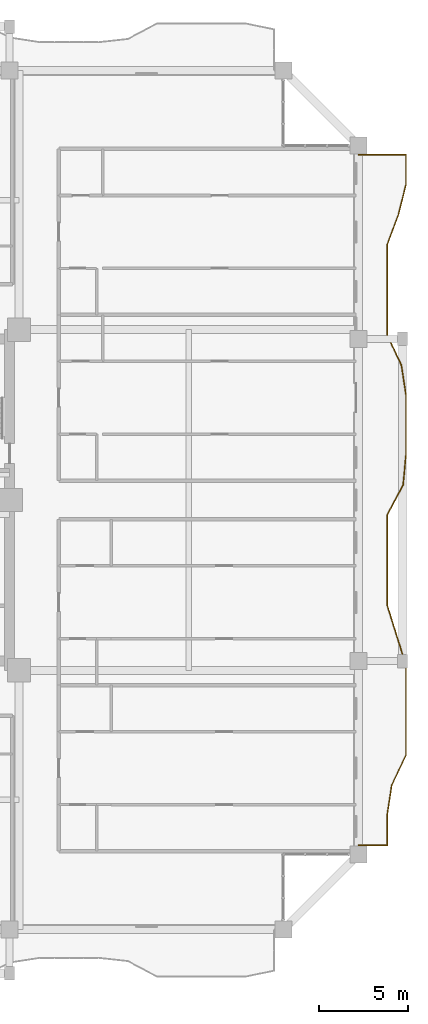
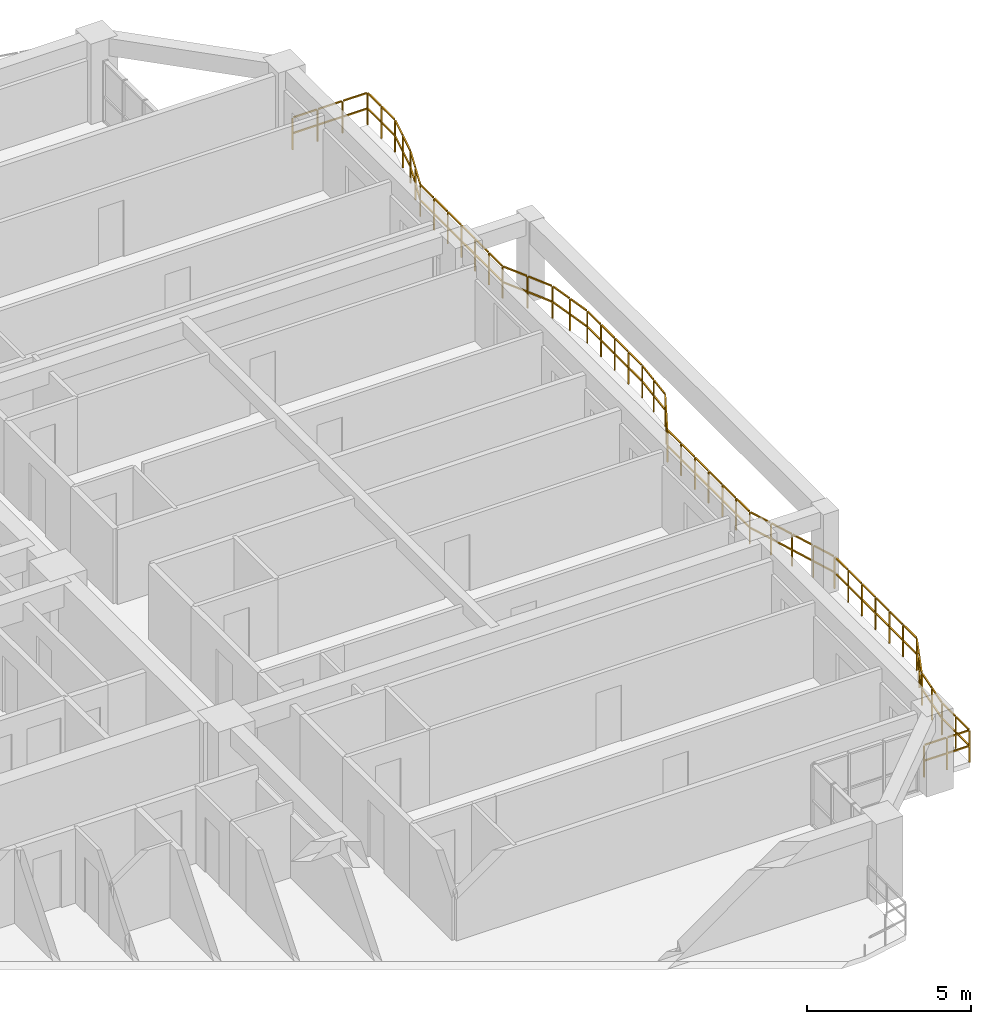
# One storey, part 24 of 25: 1 railing.
"""IFC4 building model written with IfcOpenShell, lengths in metres."""

from ifc_helpers import new_model, si_unit, direction, frame, origin, origin_2d, place, context, subcontext, project, spatial, rectangle, extrude, material, type_object, element, save


model = new_model("IFC4")

# Units and contexts
model_context = context("Model", 3, precision=1e-05, world=origin(), true_north=direction((0.0, 1.0)))
body_context = subcontext(model_context, "Body", "Model", "MODEL_VIEW")
ifc_project = project(units=[si_unit("LENGTHUNIT", "METRE"), si_unit("AREAUNIT", "SQUARE_METRE"), si_unit("VOLUMEUNIT", "CUBIC_METRE"), si_unit("PLANEANGLEUNIT", "RADIAN"), si_unit("MASSUNIT", "GRAM", prefix="KILO")], contexts=[model_context])

# Site, building, storey
site_placement = place(None, origin())
site = spatial("IfcSite", under=ifc_project, at=site_placement, CompositionType="ELEMENT")
building_placement = place(site_placement, origin())
building = spatial("IfcBuilding", under=site, at=building_placement, Name="Saelheon Loggia Tower", CompositionType="ELEMENT")
storey_placement = place(building_placement, frame((0.0, 0.0, 107.85009765625)))
storey = spatial("IfcBuildingStorey", under=building, at=storey_placement, Name="L34", CompositionType="ELEMENT", Elevation=107.85009765625)

# Railing
ifc_material = material(Name="Architectural Precast Concrete and Laminated Glass Guard", Category="concrete")
railing_type = type_object("IfcRailingType", Name="Guard_Loggia_RL_LOG", PredefinedType="BALUSTRADE", material=ifc_material)
railing_placement = place(storey_placement, frame((64.0, 7.699951171875, 0.0)))
element("IfcRailing", 1, at=railing_placement, inside=storey, type_object=railing_type, Name="L34 East Loggia Balustrade", PredefinedType="BALUSTRADE", context=body_context, shape_type="SweptSolid", body=[
    extrude(rectangle(XDim=0.048095703125, YDim=0.048095703125, at=origin_2d()), frame((0.033203125, 0.0, 1.19580078125), z_axis=(1.0, 0.0, 0.0), x_axis=(0.0, 1.0, 0.0)), (0.0, 0.0, 1.0), 0.733642578125),
    extrude(rectangle(XDim=0.048095703125, YDim=0.048095703125, at=origin_2d()), frame((0.033203125, 0.0, 0.60986328125), z_axis=(1.0, 0.0, 0.0), x_axis=(0.0, 1.0, 0.0)), (0.0, 0.0, 1.0), 0.733642578125),
    extrude(rectangle(XDim=0.048095703125, YDim=0.048095703125, at=origin_2d()), frame((0.833251953125, 0.0, 1.19580078125), z_axis=(1.0, 0.0, 0.0), x_axis=(0.0, 1.0, 0.0)), (0.0, 0.0, 1.0), 0.733642578125),
    extrude(rectangle(XDim=0.048095703125, YDim=0.048095703125, at=origin_2d()), frame((0.833251953125, 0.0, 0.60986328125), z_axis=(1.0, 0.0, 0.0), x_axis=(0.0, 1.0, 0.0)), (0.0, 0.0, 1.0), 0.733642578125),
    extrude(rectangle(XDim=0.048095703125, YDim=0.048095703125, at=origin_2d()), frame((1.60009765625, 0.033203125, 1.19580078125), z_axis=(0.0, 1.0, 0.0), x_axis=(-1.0, 0.0, 0.0)), (0.0, 0.0, 1.0), 0.772705078125),
    extrude(rectangle(XDim=0.048095703125, YDim=0.048095703125, at=origin_2d()), frame((1.60009765625, 0.033203125, 0.60986328125), z_axis=(0.0, 1.0, 0.0), x_axis=(-1.0, 0.0, 0.0)), (0.0, 0.0, 1.0), 0.772705078125),
    extrude(rectangle(XDim=0.048095703125, YDim=0.048095703125, at=origin_2d()), frame((1.60009765625, 0.87255859375, 1.19580078125), z_axis=(0.0, 1.0, 0.0), x_axis=(-1.0, 0.0, 0.0)), (0.0, 0.0, 1.0), 0.772705078125),
    extrude(rectangle(XDim=0.048095703125, YDim=0.048095703125, at=origin_2d()), frame((1.60009765625, 0.87255859375, 0.60986328125), z_axis=(0.0, 1.0, 0.0), x_axis=(-1.0, 0.0, 0.0)), (0.0, 0.0, 1.0), 0.772705078125),
    extrude(rectangle(XDim=0.048095703125, YDim=0.048095703125, at=origin_2d()), frame((1.605224609375, 1.71142578125, 1.19580078125), z_axis=(0.15116008587, 0.988509296082, 0.0), x_axis=(-0.988509296082, 0.15116008587, 0.0)), (0.0, 0.0, 1.0), 0.7822265625),
    extrude(rectangle(XDim=0.048095703125, YDim=0.048095703125, at=origin_2d()), frame((1.605224609375, 1.71142578125, 0.60986328125), z_axis=(0.15116008587, 0.988509296082, 0.0), x_axis=(-0.988509296082, 0.15116008587, 0.0)), (0.0, 0.0, 1.0), 0.7822265625),
    extrude(rectangle(XDim=0.048095703125, YDim=0.048095703125, at=origin_2d()), frame((1.7333984375, 2.55029296875, 1.19580078125), z_axis=(0.15116008587, 0.988509296082, 0.0), x_axis=(-0.988509296082, 0.15116008587, 0.0)), (0.0, 0.0, 1.0), 0.7822265625),
    extrude(rectangle(XDim=0.048095703125, YDim=0.048095703125, at=origin_2d()), frame((1.7333984375, 2.55029296875, 0.60986328125), z_axis=(0.15116008587, 0.988509296082, 0.0), x_axis=(-0.988509296082, 0.15116008587, 0.0)), (0.0, 0.0, 1.0), 0.7822265625),
    extrude(rectangle(XDim=0.048095703125, YDim=0.048095703125, at=origin_2d()), frame((1.870849609375, 3.386474609375, 1.19580078125), z_axis=(0.427272125585, 0.90412307276, 0.0), x_axis=(-0.90412307276, 0.427272125585, 0.0)), (0.0, 0.0, 1.0), 0.86181640625),
    extrude(rectangle(XDim=0.048095703125, YDim=0.048095703125, at=origin_2d()), frame((1.870849609375, 3.386474609375, 0.60986328125), z_axis=(0.427272125585, 0.90412307276, 0.0), x_axis=(-0.90412307276, 0.427272125585, 0.0)), (0.0, 0.0, 1.0), 0.86181640625),
    extrude(rectangle(XDim=0.048095703125, YDim=0.048095703125, at=origin_2d()), frame((2.267578125, 4.225830078125, 1.19580078125), z_axis=(0.427272125585, 0.90412307276, 0.0), x_axis=(-0.90412307276, 0.427272125585, 0.0)), (0.0, 0.0, 1.0), 0.86181640625),
    extrude(rectangle(XDim=0.048095703125, YDim=0.048095703125, at=origin_2d()), frame((2.267578125, 4.225830078125, 0.60986328125), z_axis=(0.427272125585, 0.90412307276, 0.0), x_axis=(-0.90412307276, 0.427272125585, 0.0)), (0.0, 0.0, 1.0), 0.86181640625),
    extrude(rectangle(XDim=0.048095703125, YDim=0.048095703125, at=origin_2d()), frame((2.64990234375, 5.068115234375, 1.19580078125), z_axis=(0.0, 1.0, 0.0), x_axis=(-1.0, 0.0, 0.0)), (0.0, 0.0, 1.0), 0.772705078125),
    extrude(rectangle(XDim=0.048095703125, YDim=0.048095703125, at=origin_2d()), frame((2.64990234375, 5.068115234375, 0.60986328125), z_axis=(0.0, 1.0, 0.0), x_axis=(-1.0, 0.0, 0.0)), (0.0, 0.0, 1.0), 0.772705078125),
    extrude(rectangle(XDim=0.048095703125, YDim=0.048095703125, at=origin_2d()), frame((2.64990234375, 5.9072265625, 1.19580078125), z_axis=(0.0, 1.0, 0.0), x_axis=(-1.0, 0.0, 0.0)), (0.0, 0.0, 1.0), 0.772705078125),
    extrude(rectangle(XDim=0.048095703125, YDim=0.048095703125, at=origin_2d()), frame((2.64990234375, 5.9072265625, 0.60986328125), z_axis=(0.0, 1.0, 0.0), x_axis=(-1.0, 0.0, 0.0)), (0.0, 0.0, 1.0), 0.772705078125),
    extrude(rectangle(XDim=0.048095703125, YDim=0.048095703125, at=origin_2d()), frame((2.64990234375, 6.746337890625, 1.19580078125), z_axis=(0.0, 1.0, 0.0), x_axis=(-1.0, 0.0, 0.0)), (0.0, 0.0, 1.0), 0.772705078125),
    extrude(rectangle(XDim=0.048095703125, YDim=0.048095703125, at=origin_2d()), frame((2.64990234375, 6.746337890625, 0.60986328125), z_axis=(0.0, 1.0, 0.0), x_axis=(-1.0, 0.0, 0.0)), (0.0, 0.0, 1.0), 0.772705078125),
    extrude(rectangle(XDim=0.048095703125, YDim=0.048095703125, at=origin_2d()), frame((2.64990234375, 7.58544921875, 1.19580078125), z_axis=(0.0, 1.0, 0.0), x_axis=(-1.0, 0.0, 0.0)), (0.0, 0.0, 1.0), 0.772705078125),
    extrude(rectangle(XDim=0.048095703125, YDim=0.048095703125, at=origin_2d()), frame((2.64990234375, 7.58544921875, 0.60986328125), z_axis=(0.0, 1.0, 0.0), x_axis=(-1.0, 0.0, 0.0)), (0.0, 0.0, 1.0), 0.772705078125),
    extrude(rectangle(XDim=0.048095703125, YDim=0.048095703125, at=origin_2d()), frame((2.64990234375, 8.424560546875, 1.19580078125), z_axis=(0.0, 1.0, 0.0), x_axis=(-1.0, 0.0, 0.0)), (0.0, 0.0, 1.0), 0.772705078125),
    extrude(rectangle(XDim=0.048095703125, YDim=0.048095703125, at=origin_2d()), frame((2.64990234375, 8.424560546875, 0.60986328125), z_axis=(0.0, 1.0, 0.0), x_axis=(-1.0, 0.0, 0.0)), (0.0, 0.0, 1.0), 0.772705078125),
    extrude(rectangle(XDim=0.048095703125, YDim=0.048095703125, at=origin_2d()), frame((2.64990234375, 9.263671875, 1.19580078125), z_axis=(0.0, 1.0, 0.0), x_axis=(-1.0, 0.0, 0.0)), (0.0, 0.0, 1.0), 0.772705078125),
    extrude(rectangle(XDim=0.048095703125, YDim=0.048095703125, at=origin_2d()), frame((2.64990234375, 9.263671875, 0.60986328125), z_axis=(0.0, 1.0, 0.0), x_axis=(-1.0, 0.0, 0.0)), (0.0, 0.0, 1.0), 0.772705078125),
    extrude(rectangle(XDim=0.048095703125, YDim=0.048095703125, at=origin_2d()), frame((2.639892578125, 10.101318359375, 1.19580078125), z_axis=(-0.299017909957, 0.954247499093, 0.0), x_axis=(-0.954247499093, -0.299017909957, 0.0)), (0.0, 0.0, 1.0), 0.81298828125),
    extrude(rectangle(XDim=0.048095703125, YDim=0.048095703125, at=origin_2d()), frame((2.639892578125, 10.101318359375, 0.60986328125), z_axis=(-0.299017909957, 0.954247499093, 0.0), x_axis=(-0.954247499093, -0.299017909957, 0.0)), (0.0, 0.0, 1.0), 0.81298828125),
    extrude(rectangle(XDim=0.048095703125, YDim=0.048095703125, at=origin_2d()), frame((2.376953125, 10.9404296875, 1.19580078125), z_axis=(-0.299017909957, 0.954247499093, 0.0), x_axis=(-0.954247499093, -0.299017909957, 0.0)), (0.0, 0.0, 1.0), 0.81298828125),
    extrude(rectangle(XDim=0.048095703125, YDim=0.048095703125, at=origin_2d()), frame((2.376953125, 10.9404296875, 0.60986328125), z_axis=(-0.299017909957, 0.954247499093, 0.0), x_axis=(-0.954247499093, -0.299017909957, 0.0)), (0.0, 0.0, 1.0), 0.81298828125),
    extrude(rectangle(XDim=0.048095703125, YDim=0.048095703125, at=origin_2d()), frame((2.114013671875, 11.779541015625, 1.19580078125), z_axis=(-0.297966647273, 0.954576281453, 0.0), x_axis=(-0.954576281453, -0.297966647273, 0.0)), (0.0, 0.0, 1.0), 0.812744140625),
    extrude(rectangle(XDim=0.048095703125, YDim=0.048095703125, at=origin_2d()), frame((2.114013671875, 11.779541015625, 0.60986328125), z_axis=(-0.297966647273, 0.954576281453, 0.0), x_axis=(-0.954576281453, -0.297966647273, 0.0)), (0.0, 0.0, 1.0), 0.812744140625),
    extrude(rectangle(XDim=0.048095703125, YDim=0.048095703125, at=origin_2d()), frame((1.85205078125, 12.61865234375, 1.19580078125), z_axis=(-0.297966647273, 0.954576281453, 0.0), x_axis=(-0.954576281453, -0.297966647273, 0.0)), (0.0, 0.0, 1.0), 0.812744140625),
    extrude(rectangle(XDim=0.048095703125, YDim=0.048095703125, at=origin_2d()), frame((1.85205078125, 12.61865234375, 0.60986328125), z_axis=(-0.297966647273, 0.954576281453, 0.0), x_axis=(-0.954576281453, -0.297966647273, 0.0)), (0.0, 0.0, 1.0), 0.812744140625),
    extrude(rectangle(XDim=0.048095703125, YDim=0.048095703125, at=origin_2d()), frame((1.60009765625, 13.45947265625, 1.19580078125), z_axis=(0.0, 1.0, 0.0), x_axis=(-1.0, 0.0, 0.0)), (0.0, 0.0, 1.0), 0.7724609375),
    extrude(rectangle(XDim=0.048095703125, YDim=0.048095703125, at=origin_2d()), frame((1.60009765625, 13.45947265625, 0.60986328125), z_axis=(0.0, 1.0, 0.0), x_axis=(-1.0, 0.0, 0.0)), (0.0, 0.0, 1.0), 0.7724609375),
    extrude(rectangle(XDim=0.048095703125, YDim=0.048095703125, at=origin_2d()), frame((1.60009765625, 14.298583984375, 1.19580078125), z_axis=(0.0, 1.0, 0.0), x_axis=(-1.0, 0.0, 0.0)), (0.0, 0.0, 1.0), 0.7724609375),
    extrude(rectangle(XDim=0.048095703125, YDim=0.048095703125, at=origin_2d()), frame((1.60009765625, 14.298583984375, 0.60986328125), z_axis=(0.0, 1.0, 0.0), x_axis=(-1.0, 0.0, 0.0)), (0.0, 0.0, 1.0), 0.7724609375),
    extrude(rectangle(XDim=0.048095703125, YDim=0.048095703125, at=origin_2d()), frame((1.60009765625, 15.137451171875, 1.19580078125), z_axis=(0.0, 1.0, 0.0), x_axis=(-1.0, 0.0, 0.0)), (0.0, 0.0, 1.0), 0.772705078125),
    extrude(rectangle(XDim=0.048095703125, YDim=0.048095703125, at=origin_2d()), frame((1.60009765625, 15.137451171875, 0.60986328125), z_axis=(0.0, 1.0, 0.0), x_axis=(-1.0, 0.0, 0.0)), (0.0, 0.0, 1.0), 0.772705078125),
    extrude(rectangle(XDim=0.048095703125, YDim=0.048095703125, at=origin_2d()), frame((1.60009765625, 15.976806640625, 1.19580078125), z_axis=(0.0, 1.0, 0.0), x_axis=(-1.0, 0.0, 0.0)), (0.0, 0.0, 1.0), 0.772705078125),
    extrude(rectangle(XDim=0.048095703125, YDim=0.048095703125, at=origin_2d()), frame((1.60009765625, 15.976806640625, 0.60986328125), z_axis=(0.0, 1.0, 0.0), x_axis=(-1.0, 0.0, 0.0)), (0.0, 0.0, 1.0), 0.772705078125),
    extrude(rectangle(XDim=0.048095703125, YDim=0.048095703125, at=origin_2d()), frame((1.60009765625, 16.81591796875, 1.19580078125), z_axis=(0.000727378335, 0.99999973546, 0.0), x_axis=(-0.99999973546, 0.000727378335, 0.0)), (0.0, 0.0, 1.0), 0.772705078125),
    extrude(rectangle(XDim=0.048095703125, YDim=0.048095703125, at=origin_2d()), frame((1.60009765625, 16.81591796875, 0.60986328125), z_axis=(0.000727378335, 0.99999973546, 0.0), x_axis=(-0.99999973546, 0.000727378335, 0.0)), (0.0, 0.0, 1.0), 0.772705078125),
    extrude(rectangle(XDim=0.048095703125, YDim=0.048095703125, at=origin_2d()), frame((1.600830078125, 17.655029296875, 1.19580078125), z_axis=(0.000727378335, 0.99999973546, 0.0), x_axis=(-0.99999973546, 0.000727378335, 0.0)), (0.0, 0.0, 1.0), 0.772705078125),
    extrude(rectangle(XDim=0.048095703125, YDim=0.048095703125, at=origin_2d()), frame((1.600830078125, 17.655029296875, 0.60986328125), z_axis=(0.000727378335, 0.99999973546, 0.0), x_axis=(-0.99999973546, 0.000727378335, 0.0)), (0.0, 0.0, 1.0), 0.772705078125),
    extrude(rectangle(XDim=0.048095703125, YDim=0.048095703125, at=origin_2d()), frame((1.616943359375, 18.490234375, 1.19580078125), z_axis=(0.469474503482, 0.882946029257, 0.0), x_axis=(-0.882946029257, 0.469474503482, 0.0)), (0.0, 0.0, 1.0), 0.8837890625),
    extrude(rectangle(XDim=0.048095703125, YDim=0.048095703125, at=origin_2d()), frame((1.616943359375, 18.490234375, 0.60986328125), z_axis=(0.469474503482, 0.882946029257, 0.0), x_axis=(-0.882946029257, 0.469474503482, 0.0)), (0.0, 0.0, 1.0), 0.8837890625),
    extrude(rectangle(XDim=0.048095703125, YDim=0.048095703125, at=origin_2d()), frame((2.06298828125, 19.329345703125, 1.19580078125), z_axis=(0.469474503482, 0.882946029257, 0.0), x_axis=(-0.882946029257, 0.469474503482, 0.0)), (0.0, 0.0, 1.0), 0.8837890625),
    extrude(rectangle(XDim=0.048095703125, YDim=0.048095703125, at=origin_2d()), frame((2.06298828125, 19.329345703125, 0.60986328125), z_axis=(0.469474503482, 0.882946029257, 0.0), x_axis=(-0.882946029257, 0.469474503482, 0.0)), (0.0, 0.0, 1.0), 0.8837890625),
    extrude(rectangle(XDim=0.048095703125, YDim=0.048095703125, at=origin_2d()), frame((2.496826171875, 20.17236328125, 1.19580078125), z_axis=(0.092703521138, 0.995693756719, 0.0), x_axis=(-0.995693756719, 0.092703521138, 0.0)), (0.0, 0.0, 1.0), 0.7763671875),
    extrude(rectangle(XDim=0.048095703125, YDim=0.048095703125, at=origin_2d()), frame((2.496826171875, 20.17236328125, 0.60986328125), z_axis=(0.092703521138, 0.995693756719, 0.0), x_axis=(-0.995693756719, 0.092703521138, 0.0)), (0.0, 0.0, 1.0), 0.7763671875),
    extrude(rectangle(XDim=0.048095703125, YDim=0.048095703125, at=origin_2d()), frame((2.574951171875, 21.011474609375, 1.19580078125), z_axis=(0.092703521138, 0.995693756719, 0.0), x_axis=(-0.995693756719, 0.092703521138, 0.0)), (0.0, 0.0, 1.0), 0.7763671875),
    extrude(rectangle(XDim=0.048095703125, YDim=0.048095703125, at=origin_2d()), frame((2.574951171875, 21.011474609375, 0.60986328125), z_axis=(0.092703521138, 0.995693756719, 0.0), x_axis=(-0.995693756719, 0.092703521138, 0.0)), (0.0, 0.0, 1.0), 0.7763671875),
    extrude(rectangle(XDim=0.048095703125, YDim=0.048095703125, at=origin_2d()), frame((2.64990234375, 21.8505859375, 1.19580078125), z_axis=(0.0, 1.0, 0.0), x_axis=(-1.0, 0.0, 0.0)), (0.0, 0.0, 1.0), 0.772705078125),
    extrude(rectangle(XDim=0.048095703125, YDim=0.048095703125, at=origin_2d()), frame((2.64990234375, 21.8505859375, 0.60986328125), z_axis=(0.0, 1.0, 0.0), x_axis=(-1.0, 0.0, 0.0)), (0.0, 0.0, 1.0), 0.772705078125),
    extrude(rectangle(XDim=0.048095703125, YDim=0.048095703125, at=origin_2d()), frame((2.64990234375, 22.68994140625, 1.19580078125), z_axis=(0.0, 1.0, 0.0), x_axis=(-1.0, 0.0, 0.0)), (0.0, 0.0, 1.0), 0.772705078125),
    extrude(rectangle(XDim=0.048095703125, YDim=0.048095703125, at=origin_2d()), frame((2.64990234375, 22.68994140625, 0.60986328125), z_axis=(0.0, 1.0, 0.0), x_axis=(-1.0, 0.0, 0.0)), (0.0, 0.0, 1.0), 0.772705078125),
    extrude(rectangle(XDim=0.048095703125, YDim=0.048095703125, at=origin_2d()), frame((2.64990234375, 23.529052734375, 1.19580078125), z_axis=(0.0, 1.0, 0.0), x_axis=(-1.0, 0.0, 0.0)), (0.0, 0.0, 1.0), 0.7724609375),
    extrude(rectangle(XDim=0.048095703125, YDim=0.048095703125, at=origin_2d()), frame((2.64990234375, 23.529052734375, 0.60986328125), z_axis=(0.0, 1.0, 0.0), x_axis=(-1.0, 0.0, 0.0)), (0.0, 0.0, 1.0), 0.7724609375),
    extrude(rectangle(XDim=0.048095703125, YDim=0.048095703125, at=origin_2d()), frame((2.64990234375, 24.3681640625, 1.19580078125), z_axis=(0.0, 1.0, 0.0), x_axis=(-1.0, 0.0, 0.0)), (0.0, 0.0, 1.0), 0.7724609375),
    extrude(rectangle(XDim=0.048095703125, YDim=0.048095703125, at=origin_2d()), frame((2.64990234375, 24.3681640625, 0.60986328125), z_axis=(0.0, 1.0, 0.0), x_axis=(-1.0, 0.0, 0.0)), (0.0, 0.0, 1.0), 0.7724609375),
    extrude(rectangle(XDim=0.048095703125, YDim=0.048095703125, at=origin_2d()), frame((2.644775390625, 25.206787109375, 1.19580078125), z_axis=(-0.151819504814, 0.988408234465, 0.0), x_axis=(-0.988408234465, -0.151819504814, 0.0)), (0.0, 0.0, 1.0), 0.78271484375),
    extrude(rectangle(XDim=0.048095703125, YDim=0.048095703125, at=origin_2d()), frame((2.644775390625, 25.206787109375, 0.60986328125), z_axis=(-0.151819504814, 0.988408234465, 0.0), x_axis=(-0.988408234465, -0.151819504814, 0.0)), (0.0, 0.0, 1.0), 0.78271484375),
    extrude(rectangle(XDim=0.048095703125, YDim=0.048095703125, at=origin_2d()), frame((2.515869140625, 26.0458984375, 1.19580078125), z_axis=(-0.151819504814, 0.988408234465, 0.0), x_axis=(-0.988408234465, -0.151819504814, 0.0)), (0.0, 0.0, 1.0), 0.78271484375),
    extrude(rectangle(XDim=0.048095703125, YDim=0.048095703125, at=origin_2d()), frame((2.515869140625, 26.0458984375, 0.60986328125), z_axis=(-0.151819504814, 0.988408234465, 0.0), x_axis=(-0.988408234465, -0.151819504814, 0.0)), (0.0, 0.0, 1.0), 0.78271484375),
    extrude(rectangle(XDim=0.048095703125, YDim=0.048095703125, at=origin_2d()), frame((2.3779296875, 26.88232421875, 1.19580078125), z_axis=(-0.42678516989, 0.904353038786, 0.0), x_axis=(-0.904353038786, -0.42678516989, 0.0)), (0.0, 0.0, 1.0), 0.861328125),
    extrude(rectangle(XDim=0.048095703125, YDim=0.048095703125, at=origin_2d()), frame((2.3779296875, 26.88232421875, 0.60986328125), z_axis=(-0.42678516989, 0.904353038786, 0.0), x_axis=(-0.904353038786, -0.42678516989, 0.0)), (0.0, 0.0, 1.0), 0.861328125),
    extrude(rectangle(XDim=0.048095703125, YDim=0.048095703125, at=origin_2d()), frame((1.98193359375, 27.721435546875, 1.19580078125), z_axis=(-0.42678516989, 0.904353038786, 0.0), x_axis=(-0.904353038786, -0.42678516989, 0.0)), (0.0, 0.0, 1.0), 0.861328125),
    extrude(rectangle(XDim=0.048095703125, YDim=0.048095703125, at=origin_2d()), frame((1.98193359375, 27.721435546875, 0.60986328125), z_axis=(-0.42678516989, 0.904353038786, 0.0), x_axis=(-0.904353038786, -0.42678516989, 0.0)), (0.0, 0.0, 1.0), 0.861328125),
    extrude(rectangle(XDim=0.048095703125, YDim=0.048095703125, at=origin_2d()), frame((1.60009765625, 28.563720703125, 1.19580078125), z_axis=(0.0, 1.0, 0.0), x_axis=(-1.0, 0.0, 0.0)), (0.0, 0.0, 1.0), 0.772705078125),
    extrude(rectangle(XDim=0.048095703125, YDim=0.048095703125, at=origin_2d()), frame((1.60009765625, 28.563720703125, 0.60986328125), z_axis=(0.0, 1.0, 0.0), x_axis=(-1.0, 0.0, 0.0)), (0.0, 0.0, 1.0), 0.772705078125),
    extrude(rectangle(XDim=0.048095703125, YDim=0.048095703125, at=origin_2d()), frame((1.60009765625, 29.40283203125, 1.19580078125), z_axis=(0.0, 1.0, 0.0), x_axis=(-1.0, 0.0, 0.0)), (0.0, 0.0, 1.0), 0.772705078125),
    extrude(rectangle(XDim=0.048095703125, YDim=0.048095703125, at=origin_2d()), frame((1.60009765625, 29.40283203125, 0.60986328125), z_axis=(0.0, 1.0, 0.0), x_axis=(-1.0, 0.0, 0.0)), (0.0, 0.0, 1.0), 0.772705078125),
    extrude(rectangle(XDim=0.048095703125, YDim=0.048095703125, at=origin_2d()), frame((1.60009765625, 30.241943359375, 1.19580078125), z_axis=(0.0, 1.0, 0.0), x_axis=(-1.0, 0.0, 0.0)), (0.0, 0.0, 1.0), 0.772705078125),
    extrude(rectangle(XDim=0.048095703125, YDim=0.048095703125, at=origin_2d()), frame((1.60009765625, 30.241943359375, 0.60986328125), z_axis=(0.0, 1.0, 0.0), x_axis=(-1.0, 0.0, 0.0)), (0.0, 0.0, 1.0), 0.772705078125),
    extrude(rectangle(XDim=0.048095703125, YDim=0.048095703125, at=origin_2d()), frame((1.60009765625, 31.0810546875, 1.19580078125), z_axis=(0.0, 1.0, 0.0), x_axis=(-1.0, 0.0, 0.0)), (0.0, 0.0, 1.0), 0.772705078125),
    extrude(rectangle(XDim=0.048095703125, YDim=0.048095703125, at=origin_2d()), frame((1.60009765625, 31.0810546875, 0.60986328125), z_axis=(0.0, 1.0, 0.0), x_axis=(-1.0, 0.0, 0.0)), (0.0, 0.0, 1.0), 0.772705078125),
    extrude(rectangle(XDim=0.048095703125, YDim=0.048095703125, at=origin_2d()), frame((1.60009765625, 31.920166015625, 1.19580078125), z_axis=(0.0, 1.0, 0.0), x_axis=(-1.0, 0.0, 0.0)), (0.0, 0.0, 1.0), 0.772705078125),
    extrude(rectangle(XDim=0.048095703125, YDim=0.048095703125, at=origin_2d()), frame((1.60009765625, 31.920166015625, 0.60986328125), z_axis=(0.0, 1.0, 0.0), x_axis=(-1.0, 0.0, 0.0)), (0.0, 0.0, 1.0), 0.772705078125),
    extrude(rectangle(XDim=0.048095703125, YDim=0.048095703125, at=origin_2d()), frame((1.60009765625, 32.75927734375, 1.19580078125), z_axis=(0.0, 1.0, 0.0), x_axis=(-1.0, 0.0, 0.0)), (0.0, 0.0, 1.0), 0.772705078125),
    extrude(rectangle(XDim=0.048095703125, YDim=0.048095703125, at=origin_2d()), frame((1.60009765625, 32.75927734375, 0.60986328125), z_axis=(0.0, 1.0, 0.0), x_axis=(-1.0, 0.0, 0.0)), (0.0, 0.0, 1.0), 0.772705078125),
    extrude(rectangle(XDim=0.048095703125, YDim=0.048095703125, at=origin_2d()), frame((1.61181640625, 33.59619140625, 1.19580078125), z_axis=(0.350391780818, 0.936603224388, 0.0), x_axis=(-0.936603224388, 0.350391780818, 0.0)), (0.0, 0.0, 1.0), 0.82958984375),
    extrude(rectangle(XDim=0.048095703125, YDim=0.048095703125, at=origin_2d()), frame((1.61181640625, 33.59619140625, 0.60986328125), z_axis=(0.350391780818, 0.936603224388, 0.0), x_axis=(-0.936603224388, 0.350391780818, 0.0)), (0.0, 0.0, 1.0), 0.82958984375),
    extrude(rectangle(XDim=0.048095703125, YDim=0.048095703125, at=origin_2d()), frame((1.92578125, 34.435546875, 1.19580078125), z_axis=(0.350391780818, 0.936603224388, 0.0), x_axis=(-0.936603224388, 0.350391780818, 0.0)), (0.0, 0.0, 1.0), 0.82958984375),
    extrude(rectangle(XDim=0.048095703125, YDim=0.048095703125, at=origin_2d()), frame((1.92578125, 34.435546875, 0.60986328125), z_axis=(0.350391780818, 0.936603224388, 0.0), x_axis=(-0.936603224388, 0.350391780818, 0.0)), (0.0, 0.0, 1.0), 0.82958984375),
    extrude(rectangle(XDim=0.048095703125, YDim=0.048095703125, at=origin_2d()), frame((2.236083984375, 35.27587890625, 1.19580078125), z_axis=(0.243830259239, 0.969817923468, 0.0), x_axis=(-0.969817923468, 0.243830259239, 0.0)), (0.0, 0.0, 1.0), 0.798583984375),
    extrude(rectangle(XDim=0.048095703125, YDim=0.048095703125, at=origin_2d()), frame((2.236083984375, 35.27587890625, 0.60986328125), z_axis=(0.243830259239, 0.969817923468, 0.0), x_axis=(-0.969817923468, 0.243830259239, 0.0)), (0.0, 0.0, 1.0), 0.798583984375),
    extrude(rectangle(XDim=0.048095703125, YDim=0.048095703125, at=origin_2d()), frame((2.447021484375, 36.114990234375, 1.19580078125), z_axis=(0.243830259239, 0.969817923468, 0.0), x_axis=(-0.969817923468, 0.243830259239, 0.0)), (0.0, 0.0, 1.0), 0.798583984375),
    extrude(rectangle(XDim=0.048095703125, YDim=0.048095703125, at=origin_2d()), frame((2.447021484375, 36.114990234375, 0.60986328125), z_axis=(0.243830259239, 0.969817923468, 0.0), x_axis=(-0.969817923468, 0.243830259239, 0.0)), (0.0, 0.0, 1.0), 0.798583984375),
    extrude(rectangle(XDim=0.048095703125, YDim=0.048095703125, at=origin_2d()), frame((2.64990234375, 36.954833984375, 1.19580078125), z_axis=(0.0, 1.0, 0.0), x_axis=(-1.0, 0.0, 0.0)), (0.0, 0.0, 1.0), 0.772705078125),
    extrude(rectangle(XDim=0.048095703125, YDim=0.048095703125, at=origin_2d()), frame((2.64990234375, 36.954833984375, 0.60986328125), z_axis=(0.0, 1.0, 0.0), x_axis=(-1.0, 0.0, 0.0)), (0.0, 0.0, 1.0), 0.772705078125),
    extrude(rectangle(XDim=0.048095703125, YDim=0.048095703125, at=origin_2d()), frame((2.64990234375, 37.794189453125, 1.19580078125), z_axis=(0.0, 1.0, 0.0), x_axis=(-1.0, 0.0, 0.0)), (0.0, 0.0, 1.0), 0.772705078125),
    extrude(rectangle(XDim=0.048095703125, YDim=0.048095703125, at=origin_2d()), frame((2.64990234375, 37.794189453125, 0.60986328125), z_axis=(0.0, 1.0, 0.0), x_axis=(-1.0, 0.0, 0.0)), (0.0, 0.0, 1.0), 0.772705078125),
    extrude(rectangle(XDim=0.048095703125, YDim=0.048095703125, at=origin_2d()), frame((2.61669921875, 38.60009765625, 1.19580078125), z_axis=(-1.0, 0.0, 0.0), x_axis=(0.0, -1.0, 0.0)), (0.0, 0.0, 1.0), 0.81689453125),
    extrude(rectangle(XDim=0.048095703125, YDim=0.048095703125, at=origin_2d()), frame((2.61669921875, 38.60009765625, 0.60986328125), z_axis=(-1.0, 0.0, 0.0), x_axis=(0.0, -1.0, 0.0)), (0.0, 0.0, 1.0), 0.81689453125),
    extrude(rectangle(XDim=0.048095703125, YDim=0.048095703125, at=origin_2d()), frame((1.7333984375, 38.60009765625, 1.19580078125), z_axis=(-1.0, 0.0, 0.0), x_axis=(0.0, -1.0, 0.0)), (0.0, 0.0, 1.0), 0.81689453125),
    extrude(rectangle(XDim=0.048095703125, YDim=0.048095703125, at=origin_2d()), frame((1.7333984375, 38.60009765625, 0.60986328125), z_axis=(-1.0, 0.0, 0.0), x_axis=(0.0, -1.0, 0.0)), (0.0, 0.0, 1.0), 0.81689453125),
    extrude(rectangle(XDim=0.048095703125, YDim=0.048095703125, at=origin_2d()), frame((0.85009765625, 38.60009765625, 1.19580078125), z_axis=(-1.0, 0.0, 0.0), x_axis=(0.0, -1.0, 0.0)), (0.0, 0.0, 1.0), 0.81689453125),
    extrude(rectangle(XDim=0.048095703125, YDim=0.048095703125, at=origin_2d()), frame((0.85009765625, 38.60009765625, 0.60986328125), z_axis=(-1.0, 0.0, 0.0), x_axis=(0.0, -1.0, 0.0)), (0.0, 0.0, 1.0), 0.81689453125),
    extrude(rectangle(XDim=0.0419921875, YDim=0.0419921875, at=origin_2d()), origin(), (0.0, 0.0, 1.0), 1.16796875),
    extrude(rectangle(XDim=0.0419921875, YDim=0.0419921875, at=origin_2d()), frame((0.800048828125, 0.0, 0.0)), (0.0, 0.0, 1.0), 1.16796875),
    extrude(rectangle(XDim=0.0419921875, YDim=0.0419921875, at=origin_2d()), frame((1.60009765625, 0.0, 0.0)), (0.0, 0.0, 1.0), 1.16796875),
    extrude(rectangle(XDim=0.0419921875, YDim=0.0419921875, at=origin_2d()), frame((1.60009765625, 0.83935546875, 0.0)), (0.0, 0.0, 1.0), 1.16796875),
    extrude(rectangle(XDim=0.0419921875, YDim=0.0419921875, at=origin_2d()), frame((1.60009765625, 1.678466796875, 0.0)), (0.0, 0.0, 1.0), 1.16796875),
    extrude(rectangle(XDim=0.0419921875, YDim=0.0419921875, at=origin_2d()), frame((1.728515625, 2.517578125, 0.0)), (0.0, 0.0, 1.0), 1.16796875),
    extrude(rectangle(XDim=0.0419921875, YDim=0.0419921875, at=origin_2d()), frame((1.856689453125, 3.3564453125, 0.0)), (0.0, 0.0, 1.0), 1.16796875),
    extrude(rectangle(XDim=0.0419921875, YDim=0.0419921875, at=origin_2d()), frame((2.25341796875, 4.19580078125, 0.0)), (0.0, 0.0, 1.0), 1.16796875),
    extrude(rectangle(XDim=0.0419921875, YDim=0.0419921875, at=origin_2d()), frame((2.64990234375, 5.034912109375, 0.0)), (0.0, 0.0, 1.0), 1.16796875),
    extrude(rectangle(XDim=0.0419921875, YDim=0.0419921875, at=origin_2d()), frame((2.64990234375, 5.8740234375, 0.0)), (0.0, 0.0, 1.0), 1.16796875),
    extrude(rectangle(XDim=0.0419921875, YDim=0.0419921875, at=origin_2d()), frame((2.64990234375, 6.713134765625, 0.0)), (0.0, 0.0, 1.0), 1.16796875),
    extrude(rectangle(XDim=0.0419921875, YDim=0.0419921875, at=origin_2d()), frame((2.64990234375, 7.55224609375, 0.0)), (0.0, 0.0, 1.0), 1.16796875),
    extrude(rectangle(XDim=0.0419921875, YDim=0.0419921875, at=origin_2d()), frame((2.64990234375, 8.391357421875, 0.0)), (0.0, 0.0, 1.0), 1.16796875),
    extrude(rectangle(XDim=0.0419921875, YDim=0.0419921875, at=origin_2d()), frame((2.64990234375, 9.23046875, 0.0)), (0.0, 0.0, 1.0), 1.16796875),
    extrude(rectangle(XDim=0.0419921875, YDim=0.0419921875, at=origin_2d()), frame((2.64990234375, 10.069580078125, 0.0)), (0.0, 0.0, 1.0), 1.16796875),
    extrude(rectangle(XDim=0.0419921875, YDim=0.0419921875, at=origin_2d()), frame((2.386962890625, 10.90869140625, 0.0)), (0.0, 0.0, 1.0), 1.16796875),
    extrude(rectangle(XDim=0.0419921875, YDim=0.0419921875, at=origin_2d()), frame((2.1240234375, 11.747802734375, 0.0)), (0.0, 0.0, 1.0), 1.16796875),
    extrude(rectangle(XDim=0.0419921875, YDim=0.0419921875, at=origin_2d()), frame((1.862060546875, 12.5869140625, 0.0)), (0.0, 0.0, 1.0), 1.16796875),
    extrude(rectangle(XDim=0.0419921875, YDim=0.0419921875, at=origin_2d()), frame((1.60009765625, 13.42626953125, 0.0)), (0.0, 0.0, 1.0), 1.16796875),
    extrude(rectangle(XDim=0.0419921875, YDim=0.0419921875, at=origin_2d()), frame((1.60009765625, 14.26513671875, 0.0)), (0.0, 0.0, 1.0), 1.16796875),
    extrude(rectangle(XDim=0.0419921875, YDim=0.0419921875, at=origin_2d()), frame((1.60009765625, 15.104248046875, 0.0)), (0.0, 0.0, 1.0), 1.16796875),
    extrude(rectangle(XDim=0.0419921875, YDim=0.0419921875, at=origin_2d()), frame((1.60009765625, 15.943359375, 0.0)), (0.0, 0.0, 1.0), 1.16796875),
    extrude(rectangle(XDim=0.0419921875, YDim=0.0419921875, at=origin_2d()), frame((1.60009765625, 16.78271484375, 0.0)), (0.0, 0.0, 1.0), 1.16796875),
    extrude(rectangle(XDim=0.0419921875, YDim=0.0419921875, at=origin_2d()), frame((1.6005859375, 17.621826171875, 0.0)), (0.0, 0.0, 1.0), 1.16796875),
    extrude(rectangle(XDim=0.0419921875, YDim=0.0419921875, at=origin_2d()), frame((1.601318359375, 18.4609375, 0.0)), (0.0, 0.0, 1.0), 1.16796875),
    extrude(rectangle(XDim=0.0419921875, YDim=0.0419921875, at=origin_2d()), frame((2.04736328125, 19.300048828125, 0.0)), (0.0, 0.0, 1.0), 1.16796875),
    extrude(rectangle(XDim=0.0419921875, YDim=0.0419921875, at=origin_2d()), frame((2.49365234375, 20.13916015625, 0.0)), (0.0, 0.0, 1.0), 1.16796875),
    extrude(rectangle(XDim=0.0419921875, YDim=0.0419921875, at=origin_2d()), frame((2.57177734375, 20.978271484375, 0.0)), (0.0, 0.0, 1.0), 1.16796875),
    extrude(rectangle(XDim=0.0419921875, YDim=0.0419921875, at=origin_2d()), frame((2.64990234375, 21.8173828125, 0.0)), (0.0, 0.0, 1.0), 1.16796875),
    extrude(rectangle(XDim=0.0419921875, YDim=0.0419921875, at=origin_2d()), frame((2.64990234375, 22.65673828125, 0.0)), (0.0, 0.0, 1.0), 1.16796875),
    extrude(rectangle(XDim=0.0419921875, YDim=0.0419921875, at=origin_2d()), frame((2.64990234375, 23.495849609375, 0.0)), (0.0, 0.0, 1.0), 1.16796875),
    extrude(rectangle(XDim=0.0419921875, YDim=0.0419921875, at=origin_2d()), frame((2.64990234375, 24.3349609375, 0.0)), (0.0, 0.0, 1.0), 1.16796875),
    extrude(rectangle(XDim=0.0419921875, YDim=0.0419921875, at=origin_2d()), frame((2.64990234375, 25.173828125, 0.0)), (0.0, 0.0, 1.0), 1.16796875),
    extrude(rectangle(XDim=0.0419921875, YDim=0.0419921875, at=origin_2d()), frame((2.52099609375, 26.01318359375, 0.0)), (0.0, 0.0, 1.0), 1.16796875),
    extrude(rectangle(XDim=0.0419921875, YDim=0.0419921875, at=origin_2d()), frame((2.39208984375, 26.852294921875, 0.0)), (0.0, 0.0, 1.0), 1.16796875),
    extrude(rectangle(XDim=0.0419921875, YDim=0.0419921875, at=origin_2d()), frame((1.99609375, 27.69140625, 0.0)), (0.0, 0.0, 1.0), 1.16796875),
    extrude(rectangle(XDim=0.0419921875, YDim=0.0419921875, at=origin_2d()), frame((1.60009765625, 28.530517578125, 0.0)), (0.0, 0.0, 1.0), 1.16796875),
    extrude(rectangle(XDim=0.0419921875, YDim=0.0419921875, at=origin_2d()), frame((1.60009765625, 29.36962890625, 0.0)), (0.0, 0.0, 1.0), 1.16796875),
    extrude(rectangle(XDim=0.0419921875, YDim=0.0419921875, at=origin_2d()), frame((1.60009765625, 30.208740234375, 0.0)), (0.0, 0.0, 1.0), 1.16796875),
    extrude(rectangle(XDim=0.0419921875, YDim=0.0419921875, at=origin_2d()), frame((1.60009765625, 31.0478515625, 0.0)), (0.0, 0.0, 1.0), 1.16796875),
    extrude(rectangle(XDim=0.0419921875, YDim=0.0419921875, at=origin_2d()), frame((1.60009765625, 31.886962890625, 0.0)), (0.0, 0.0, 1.0), 1.16796875),
    extrude(rectangle(XDim=0.0419921875, YDim=0.0419921875, at=origin_2d()), frame((1.60009765625, 32.72607421875, 0.0)), (0.0, 0.0, 1.0), 1.16796875),
    extrude(rectangle(XDim=0.0419921875, YDim=0.0419921875, at=origin_2d()), frame((1.60009765625, 33.565185546875, 0.0)), (0.0, 0.0, 1.0), 1.16796875),
    extrude(rectangle(XDim=0.0419921875, YDim=0.0419921875, at=origin_2d()), frame((1.9140625, 34.404296875, 0.0)), (0.0, 0.0, 1.0), 1.16796875),
    extrude(rectangle(XDim=0.0419921875, YDim=0.0419921875, at=origin_2d()), frame((2.22802734375, 35.24365234375, 0.0)), (0.0, 0.0, 1.0), 1.16796875),
    extrude(rectangle(XDim=0.0419921875, YDim=0.0419921875, at=origin_2d()), frame((2.43896484375, 36.08251953125, 0.0)), (0.0, 0.0, 1.0), 1.16796875),
    extrude(rectangle(XDim=0.0419921875, YDim=0.0419921875, at=origin_2d()), frame((2.64990234375, 36.921630859375, 0.0)), (0.0, 0.0, 1.0), 1.16796875),
    extrude(rectangle(XDim=0.0419921875, YDim=0.0419921875, at=origin_2d()), frame((2.64990234375, 37.7607421875, 0.0)), (0.0, 0.0, 1.0), 1.16796875),
    extrude(rectangle(XDim=0.0419921875, YDim=0.0419921875, at=origin_2d()), frame((2.64990234375, 38.60009765625, 0.0)), (0.0, 0.0, 1.0), 1.16796875),
    extrude(rectangle(XDim=0.0419921875, YDim=0.0419921875, at=origin_2d()), frame((1.7666015625, 38.60009765625, 0.0)), (0.0, 0.0, 1.0), 1.16796875),
    extrude(rectangle(XDim=0.0419921875, YDim=0.0419921875, at=origin_2d()), frame((0.88330078125, 38.60009765625, 0.0)), (0.0, 0.0, 1.0), 1.16796875),
    extrude(rectangle(XDim=0.0419921875, YDim=0.0419921875, at=origin_2d()), frame((0.0, 38.60009765625, 0.0)), (0.0, 0.0, 1.0), 1.16796875),
])

save(model, "model.ifc")
